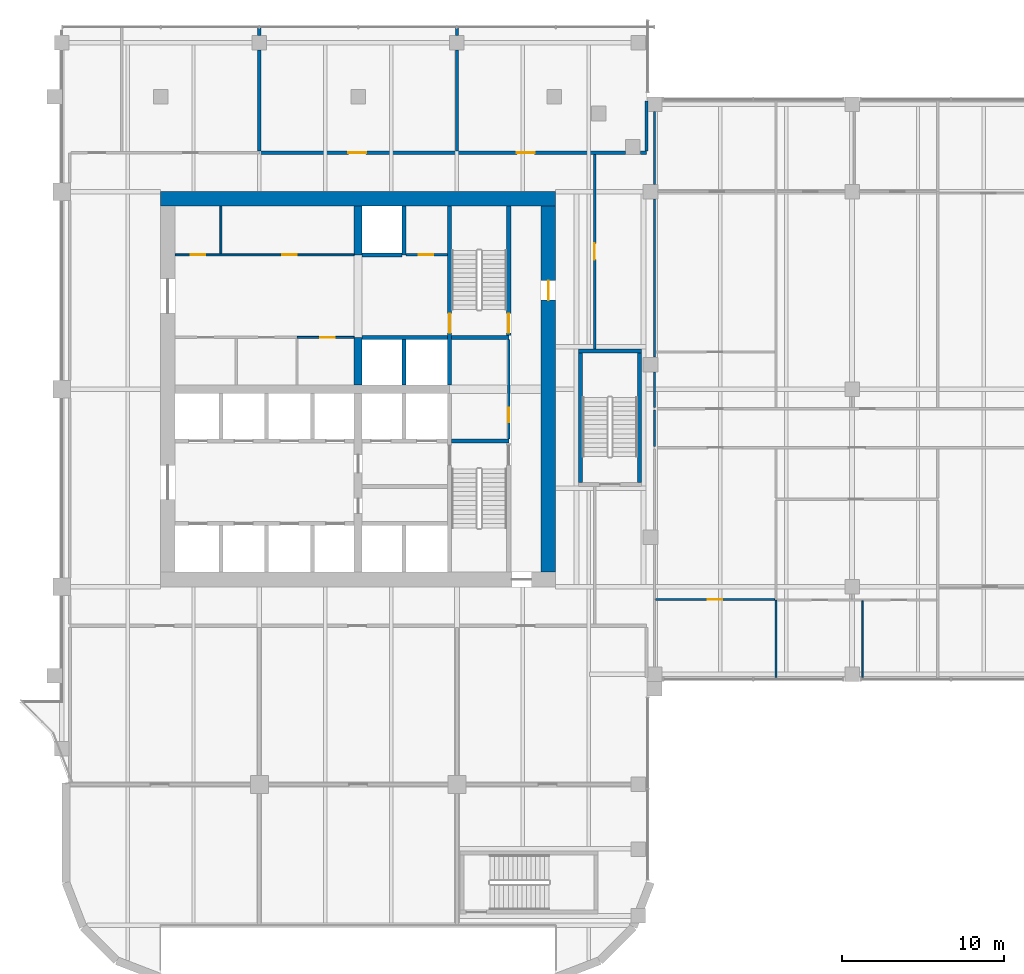
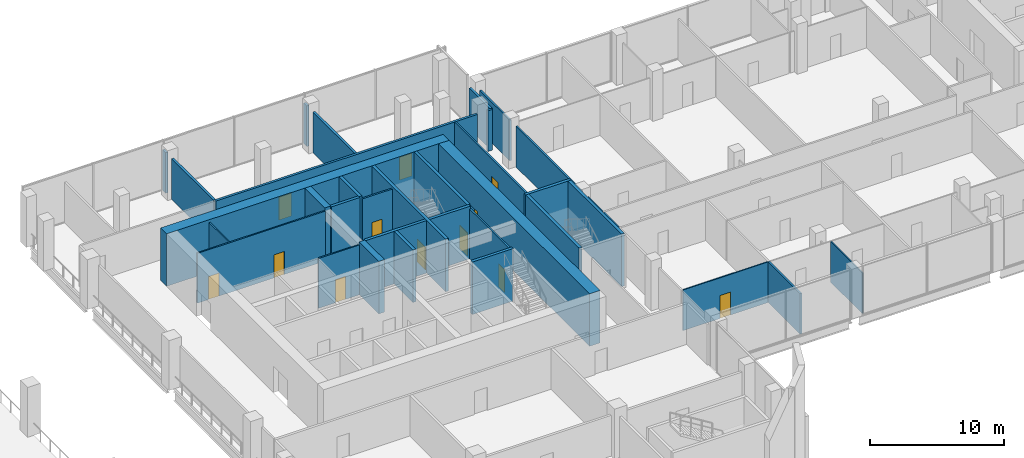
# One storey, part 24 of 33: 35 walls, 12 doors, 12 openings.
"""IFC4 building model written with IfcOpenShell, lengths in metres."""

import ifcopenshell
import ifcopenshell.guid

model = None  # the IFC model being written
_history = None  # IfcOwnerHistory: only IFC2X3 demands one
_inside = {}  # id of a spatial element -> (the spatial element, [elements in it])
_under = {}  # id of a project, library or spatial element -> (it, [spatial elements below it])
_declared = {}  # id of a project -> (the project, [libraries it declares])
_typed = {}  # id of a type object -> (the type object, [elements of that type])
_made_of = {}  # id of a material, layer set ... -> (it, [elements and type objects made of it])


def new_model(schema):
    """Start an empty IFC model of exactly this schema.

    Asked for "IFC4X3", IfcOpenShell would pick the latest addendum, in which some entities
    have other attributes; the version numbers below select the first issue.
    IFC2X3 requires an IfcOwnerHistory on every rooted entity: one is made here for all.
    """
    global model, _history
    if schema == "IFC4X3":
        model = ifcopenshell.file(schema_version=(4, 3, 0, 0))
    else:
        model = ifcopenshell.file(schema=schema)
    _inside.clear()
    _under.clear()
    _declared.clear()
    _typed.clear()
    _made_of.clear()
    _history = None
    if model.schema == "IFC2X3":
        org = make("IfcOrganization", Name="unknown")
        user = make(
            "IfcPersonAndOrganization",
            ThePerson=make("IfcPerson", FamilyName="unknown"),
            TheOrganization=org,
        )
        app = make(
            "IfcApplication",
            ApplicationDeveloper=org,
            Version="unknown",
            ApplicationFullName="unknown",
            ApplicationIdentifier="unknown",
        )
        _history = make(
            "IfcOwnerHistory",
            OwningUser=user,
            OwningApplication=app,
            ChangeAction="ADDED",
            CreationDate=0,
        )
    return model


def make(cls, **values):
    """One entity of the class cls with the attributes given. An attribute that is None is left unset."""
    return model.create_entity(
        cls, **{name: value for name, value in values.items() if value is not None}
    )


def rooted(cls, **values):
    """An entity with a GlobalId (a new one), such as an element, a storey or a relation."""
    return make(cls, GlobalId=ifcopenshell.guid.new(), OwnerHistory=_history, **values)


def si_unit(unit_type, name, prefix=None):
    """IfcSIUnit, for example si_unit("LENGTHUNIT", "METRE", prefix="MILLI")."""
    return make("IfcSIUnit", UnitType=unit_type, Prefix=prefix, Name=name)


def assignment(units):
    """IfcUnitAssignment: the units of a project."""
    return None if units is None else make("IfcUnitAssignment", Units=units)


def point(xyz):
    """IfcCartesianPoint."""
    return None if xyz is None else make("IfcCartesianPoint", Coordinates=xyz)


def direction(xyz):
    """IfcDirection."""
    return None if xyz is None else make("IfcDirection", DirectionRatios=xyz)


def frame(location, z_axis=None, x_axis=None):
    """IfcAxis2Placement3D, a coordinate frame: its origin and axes. An axis left out is left unset."""
    return make(
        "IfcAxis2Placement3D",
        Location=point(location),
        Axis=direction(z_axis),
        RefDirection=direction(x_axis),
    )


def frame_2d(location, x_axis=None):
    """IfcAxis2Placement2D, a coordinate frame in the plane: its origin and x axis."""
    return make(
        "IfcAxis2Placement2D", Location=point(location), RefDirection=direction(x_axis)
    )


def origin():
    """The frame at (0, 0, 0) with its axes left unset."""
    return frame((0.0, 0.0, 0.0))


def place(relative_to, where):
    """IfcLocalPlacement: puts the frame where relative to a parent placement (None: the world)."""
    return make(
        "IfcLocalPlacement", PlacementRelTo=relative_to, RelativePlacement=where
    )


def context(
    kind, dimensions, precision=None, world=None, true_north=None, identifier=None
):
    """IfcGeometricRepresentationContext, for example the 3D "Model" context."""
    return make(
        "IfcGeometricRepresentationContext",
        ContextIdentifier=identifier,
        ContextType=kind,
        CoordinateSpaceDimension=dimensions,
        Precision=precision,
        WorldCoordinateSystem=world,
        TrueNorth=true_north,
    )


def subcontext(parent, identifier, kind, view, scale=None):
    """IfcGeometricRepresentationSubContext, for example "Body" below "Model"."""
    return make(
        "IfcGeometricRepresentationSubContext",
        ContextIdentifier=identifier,
        ContextType=kind,
        ParentContext=parent,
        TargetScale=scale,
        TargetView=view,
    )


def project(units=None, contexts=None):
    """IfcProject with its units and contexts."""
    return rooted(
        "IfcProject",
        Name="project",
        RepresentationContexts=contexts,
        UnitsInContext=assignment(units),
    )


def spatial(cls, under=None, at=None, **own):
    """A site, building, storey or space (cls), placed at a placement, below another one or the project."""
    s = rooted(cls, ObjectPlacement=at, **own)
    if under is not None:
        _under.setdefault(under.id(), (under, []))[1].append(s)
    return s


def profile(cls, at=None, kind="AREA", **sizes):
    """A parametric profile (cls). Its sizes go by their IFC names, for example OverallWidth=200.0."""
    return make(cls, ProfileType=kind, Position=at, **sizes)


def rectangle(**sizes):
    """IfcRectangleProfileDef."""
    return profile("IfcRectangleProfileDef", **sizes)


def extrude(swept, where, along, depth):
    """IfcExtrudedAreaSolid: the profile swept, set in the frame where, extruded along a direction by depth."""
    return make(
        "IfcExtrudedAreaSolid",
        SweptArea=swept,
        Position=where,
        ExtrudedDirection=direction(along),
        Depth=depth,
    )


def shape(context_of_items, identifier, shape_type, items):
    """IfcShapeRepresentation: the items that make up one representation, for example the "Body"."""
    return make(
        "IfcShapeRepresentation",
        ContextOfItems=context_of_items,
        RepresentationIdentifier=identifier,
        RepresentationType=shape_type,
        Items=items,
    )


def source(mapping_origin, context_of_items, identifier, shape_type, items):
    """IfcRepresentationMap: a shape defined once, which mapped items show again and again."""
    return make(
        "IfcRepresentationMap",
        MappingOrigin=mapping_origin,
        MappedRepresentation=shape(context_of_items, identifier, shape_type, items),
    )


def transform(
    local_origin,
    x_axis=None,
    y_axis=None,
    z_axis=None,
    scale=None,
    scale2=None,
    scale3=None,
    uniform=True,
):
    """IfcCartesianTransformationOperator3D, or its non-uniform kind. x_axis, y_axis, z_axis: its Axis1, 2, 3."""
    if uniform:
        return make(
            "IfcCartesianTransformationOperator3D",
            Axis1=direction(x_axis),
            Axis2=direction(y_axis),
            LocalOrigin=point(local_origin),
            Scale=scale,
            Axis3=direction(z_axis),
        )
    return make(
        "IfcCartesianTransformationOperator3DnonUniform",
        Axis1=direction(x_axis),
        Axis2=direction(y_axis),
        LocalOrigin=point(local_origin),
        Scale=scale,
        Axis3=direction(z_axis),
        Scale2=scale2,
        Scale3=scale3,
    )


def mapped(mapping_source, mapping_target):
    """IfcMappedItem: shows the shape of a source again, moved by a transform."""
    return make(
        "IfcMappedItem", MappingSource=mapping_source, MappingTarget=mapping_target
    )


def material(Name=None, Category=None):
    """IfcMaterial."""
    return make("IfcMaterial", Name=Name, Category=Category)


def layer(
    of_material, thickness, ventilated=None, Name=None, Category=None, Priority=None
):
    """IfcMaterialLayer: one layer of a wall or slab, of a material (None: an air gap)."""
    return make(
        "IfcMaterialLayer",
        Material=of_material,
        LayerThickness=thickness,
        IsVentilated=ventilated,
        Name=Name,
        Category=Category,
        Priority=Priority,
    )


def layer_set(layers, Name=None):
    """IfcMaterialLayerSet."""
    return make("IfcMaterialLayerSet", MaterialLayers=layers, LayerSetName=Name)


def made_of(thing, what):
    """Note that an element or type object is made of a material, layer set ...; save() writes the relation."""
    if what is not None:
        _made_of.setdefault(what.id(), (what, []))[1].append(thing)
    return thing


def type_object(cls, material=None, **own):
    """A type object (cls), such as IfcWallType, which elements share."""
    return made_of(rooted(cls, **own), material)


def element(
    cls,
    number,
    at=None,
    inside=None,
    cuts=None,
    type_object=None,
    material=None,
    context=None,
    identifier="Body",
    shape_type=None,
    held_by="IfcProductDefinitionShape",
    body=None,
    shapes=None,
    **own,
):
    """One element of the class cls, such as IfcWall. Its Tag is "e" and its number.

    at: its placement. inside: the storey or other place that contains it. cuts: it is an
    opening in that element (IfcRelVoidsElement). A single representation is given by context,
    identifier, shape_type and body (its items); several are given by shapes. held_by: the class
    of the entity that holds the representations. save() writes the other relations.
    """
    e = rooted(cls, Tag="e%d" % number, ObjectPlacement=at, **own)
    if body is not None:
        shapes = [shape(context, identifier, shape_type, body)]
    if shapes is not None:
        e.Representation = make(held_by, Representations=shapes)
    if inside is not None:
        _inside.setdefault(inside.id(), (inside, []))[1].append(e)
    if cuts is not None:
        rooted(
            "IfcRelVoidsElement", RelatingBuildingElement=cuts, RelatedOpeningElement=e
        )
    if type_object is not None:
        _typed.setdefault(type_object.id(), (type_object, []))[1].append(e)
    return made_of(e, material)


def fill(opening, filler):
    """IfcRelFillsElement: the door or window that sits in an opening."""
    return rooted(
        "IfcRelFillsElement",
        RelatingOpeningElement=opening,
        RelatedBuildingElement=filler,
    )


def aggregate(whole, parts):
    """IfcRelAggregates: a whole, such as a stair, and the parts it consists of."""
    return rooted("IfcRelAggregates", RelatingObject=whole, RelatedObjects=parts)


def save(model, path):
    """Write the relations noted so far, then the file.

    IfcRelAggregates (storeys below a building ...), IfcRelContainedInSpatialStructure (elements
    in a storey), IfcRelDefinesByType, IfcRelAssociatesMaterial and IfcRelDeclares: one each for
    every whole, place, type object, material and project.
    """
    for whole, parts in _under.values():
        aggregate(whole, parts)
    for where, things in _inside.values():
        rooted(
            "IfcRelContainedInSpatialStructure",
            RelatedElements=things,
            RelatingStructure=where,
        )
    for kind, things in _typed.values():
        rooted("IfcRelDefinesByType", RelatedObjects=things, RelatingType=kind)
    for what, things in _made_of.values():
        rooted("IfcRelAssociatesMaterial", RelatedObjects=things, RelatingMaterial=what)
    for by, libraries in _declared.values():
        rooted("IfcRelDeclares", RelatingContext=by, RelatedDefinitions=libraries)
    model.write(path)


model = new_model("IFC4")

# Units and contexts
model_context = context("Model", 3, precision=1e-05, world=origin(), true_north=direction((0.0, 1.0)))
body_context = subcontext(model_context, "Body", "Model", "MODEL_VIEW")
ifc_project = project(units=[si_unit("LENGTHUNIT", "METRE"), si_unit("AREAUNIT", "SQUARE_METRE"), si_unit("VOLUMEUNIT", "CUBIC_METRE"), si_unit("PLANEANGLEUNIT", "RADIAN"), si_unit("MASSUNIT", "GRAM", prefix="KILO")], contexts=[model_context])

# Site, building, storey
site_placement = place(None, origin())
site = spatial("IfcSite", under=ifc_project, at=site_placement, CompositionType="ELEMENT")
building_placement = place(site_placement, origin())
building = spatial("IfcBuilding", under=site, at=building_placement, Name="Tessera Gate Towers", CompositionType="ELEMENT")
storey_placement = place(building_placement, frame((0.0, 0.0, 7.199951171875)))
storey = spatial("IfcBuildingStorey", under=building, at=storey_placement, Name="L01", CompositionType="ELEMENT", Elevation=7.199951171875)

# Wall, opening, door
ifc_material_1 = material(Name="Concrete C40/50", Category="concrete")
ifc_layer_1 = layer(ifc_material_1, 0.25)
ifc_layer_set_1 = layer_set([ifc_layer_1], Name="CORE ENCLOSURE WALL 250")
wall_type_1 = type_object("IfcWallType", Name="CORE ENCLOSURE WALL 250", PredefinedType="SOLIDWALL", material=ifc_layer_set_1)
wall_1_placement = place(storey_placement, frame((48.35009765625, 47.89990234375, 0.0), z_axis=(0.0, 0.0, 1.0), x_axis=(0.0, -1.0, 0.0)))
wall_1 = element("IfcWall", 1, at=wall_1_placement, inside=storey, type_object=wall_type_1, Name="L01 shaft and stair enclosure wall", PredefinedType="SOLIDWALL", context=body_context, shape_type="SweptSolid", body=[
    extrude(rectangle(XDim=11.0498046875, YDim=0.25, at=frame_2d((5.52490234375, 0.0))), origin(), (0.0, 0.0, 1.0), 4.800048828125),
])
shared_shape_1 = source(origin(), body_context, "Body", "SweptSolid", [
    extrude(rectangle(XDim=1.199951171875, YDim=2.10009765625, at=frame_2d((0.60009765625, 1.050048828125))), frame((0.0, 0.135009765625, 0.0), z_axis=(0.0, -1.0, 0.0), x_axis=(1.0, 0.0, 0.0)), (0.0, 0.0, 1.0), 0.27001953125),
])
opening_1_placement = place(wall_1_placement, frame((6.625, 0.0, 0.0)))
opening_1 = element("IfcOpeningElement", 2, at=opening_1_placement, cuts=wall_1, Name="Opening SD-ST2-1", PredefinedType="OPENING", context=body_context, shape_type="MappedRepresentation", body=[
    mapped(shared_shape_1, transform((0.0, 0.0, 0.0), scale=1.0)),
])
ifc_material_2 = material(Name="Hollow steel fire door", Category="steel")
door_type_1 = type_object("IfcDoorType", Name="CORE DOOR SD 1200x2100", OperationType="NOTDEFINED", PredefinedType="DOOR", material=ifc_material_2)
shared_shape_2 = source(origin(), body_context, "Body", "SweptSolid", [
    extrude(rectangle(XDim=1.199951171875, YDim=2.10009765625, at=frame_2d((0.60009765625, 1.050048828125))), frame((0.0, 0.02490234375, 0.0), z_axis=(0.0, -1.0, 0.0), x_axis=(1.0, 0.0, 0.0)), (0.0, 0.0, 1.0), 0.050048828125),
])
door_1_placement = place(opening_1_placement, origin())
door_1 = element("IfcDoor", 3, at=door_1_placement, inside=storey, type_object=door_type_1, Name="Stair door", OperationType="SINGLE_SWING_RIGHT", OverallHeight=2.10009765625, OverallWidth=1.199951171875, PredefinedType="DOOR", context=body_context, shape_type="MappedRepresentation", body=[
    mapped(shared_shape_2, transform((0.0, 0.0, 0.0), scale=1.0)),
])
fill(opening_1, door_1)

# Walls
wall_2_placement = place(storey_placement, frame((48.47509765625, 33.39990234375, 0.0), z_axis=(0.0, 0.0, 1.0), x_axis=(1.0, 0.0, 0.0)))
element("IfcWall", 4, at=wall_2_placement, inside=storey, type_object=wall_type_1, Name="L01 shaft and stair enclosure wall", PredefinedType="SOLIDWALL", context=body_context, shape_type="SweptSolid", body=[
    extrude(rectangle(XDim=3.52490234375, YDim=0.25, at=frame_2d((1.762451171875, 0.0))), origin(), (0.0, 0.0, 1.0), 4.800048828125),
])
wall_3_placement = place(storey_placement, frame((42.949951171875, 39.800048828125, 0.0), z_axis=(0.0, 0.0, 1.0), x_axis=(1.0, 0.0, 0.0)))
element("IfcWall", 5, at=wall_3_placement, inside=storey, type_object=wall_type_1, Name="L01 shaft and stair enclosure wall", PredefinedType="SOLIDWALL", context=body_context, shape_type="SweptSolid", body=[
    extrude(rectangle(XDim=5.275146484375, YDim=0.25, at=frame_2d((2.6376953125, 0.0))), origin(), (0.0, 0.0, 1.0), 4.800048828125),
])
wall_4_placement = place(storey_placement, frame((48.47509765625, 39.800048828125, 0.0), z_axis=(0.0, 0.0, 1.0), x_axis=(1.0, 0.0, 0.0)))
element("IfcWall", 6, at=wall_4_placement, inside=storey, type_object=wall_type_1, Name="L01 shaft and stair enclosure wall", PredefinedType="SOLIDWALL", context=body_context, shape_type="SweptSolid", body=[
    extrude(rectangle(XDim=3.52490234375, YDim=0.25, at=frame_2d((1.762451171875, 0.0))), origin(), (0.0, 0.0, 1.0), 4.800048828125),
])

# Wall, opening, door
wall_5_placement = place(storey_placement, frame((52.0, 39.925048828125, 0.0), z_axis=(0.0, 0.0, 1.0), x_axis=(0.0, 1.0, 0.0)))
wall_5 = element("IfcWall", 7, at=wall_5_placement, inside=storey, type_object=wall_type_1, Name="L01 shaft and stair enclosure wall", PredefinedType="SOLIDWALL", context=body_context, shape_type="SweptSolid", body=[
    extrude(rectangle(XDim=7.974853515625, YDim=0.25, at=frame_2d((3.9873046875, 0.0))), origin(), (0.0, 0.0, 1.0), 4.800048828125),
])
opening_2_placement = place(wall_5_placement, frame((0.14990234375, 0.0, 0.0)))
opening_2 = element("IfcOpeningElement", 8, at=opening_2_placement, cuts=wall_5, Name="Opening SD-ST2-2", PredefinedType="OPENING", context=body_context, shape_type="MappedRepresentation", body=[
    mapped(shared_shape_1, transform((0.0, 0.0, 0.0), scale=1.0)),
])
door_2_placement = place(opening_2_placement, origin())
door_2 = element("IfcDoor", 9, at=door_2_placement, inside=storey, type_object=door_type_1, Name="Stair door", OperationType="SINGLE_SWING_LEFT", OverallHeight=2.10009765625, OverallWidth=1.199951171875, PredefinedType="DOOR", context=body_context, shape_type="MappedRepresentation", body=[
    mapped(shared_shape_2, transform((0.0, 0.0, 0.0), scale=1.0)),
])
fill(opening_2, door_2)

# Walls
wall_6_placement = place(storey_placement, frame((45.52490234375, 36.85009765625, 0.0), z_axis=(0.0, 0.0, 1.0), x_axis=(0.0, 1.0, 0.0)))
element("IfcWall", 10, at=wall_6_placement, inside=storey, type_object=wall_type_1, Name="L01 shaft and stair enclosure wall", PredefinedType="SOLIDWALL", context=body_context, shape_type="SweptSolid", body=[
    extrude(rectangle(XDim=2.824951171875, YDim=0.25, at=frame_2d((1.41259765625, 0.0))), origin(), (0.0, 0.0, 1.0), 4.800048828125),
])
wall_7_placement = place(storey_placement, frame((45.52490234375, 44.89990234375, 0.0), z_axis=(0.0, 0.0, 1.0), x_axis=(0.0, 1.0, 0.0)))
element("IfcWall", 11, at=wall_7_placement, inside=storey, type_object=wall_type_1, Name="L01 shaft and stair enclosure wall", PredefinedType="SOLIDWALL", context=body_context, shape_type="SweptSolid", body=[
    extrude(rectangle(XDim=3.0, YDim=0.25, at=frame_2d((1.5, 0.0))), origin(), (0.0, 0.0, 1.0), 4.800048828125),
])
wall_8_placement = place(storey_placement, frame((42.949951171875, 44.89990234375, 0.0), z_axis=(0.0, 0.0, 1.0), x_axis=(1.0, 0.0, 0.0)))
element("IfcWall", 12, at=wall_8_placement, inside=storey, type_object=wall_type_1, Name="L01 shaft and stair enclosure wall", PredefinedType="SOLIDWALL", context=body_context, shape_type="SweptSolid", body=[
    extrude(rectangle(XDim=2.449951171875, YDim=0.25, at=frame_2d((1.22509765625, 0.0))), origin(), (0.0, 0.0, 1.0), 4.800048828125),
])
wall_9_placement = place(storey_placement, frame((56.425048828125, 30.85009765625, 0.0), z_axis=(0.0, 0.0, 1.0), x_axis=(0.0, 1.0, 0.0)))
element("IfcWall", 13, at=wall_9_placement, inside=storey, type_object=wall_type_1, Name="L01 ST5 enclosure wall", PredefinedType="SOLIDWALL", context=body_context, shape_type="SweptSolid", body=[
    extrude(rectangle(XDim=8.0, YDim=0.25, at=frame_2d((4.0, 0.0))), origin(), (0.0, 0.0, 1.0), 4.800048828125),
])
wall_10_placement = place(storey_placement, frame((56.300048828125, 38.97509765625, 0.0), z_axis=(0.0, 0.0, 1.0), x_axis=(1.0, 0.0, 0.0)))
element("IfcWall", 14, at=wall_10_placement, inside=storey, type_object=wall_type_1, Name="L01 ST5 enclosure wall", PredefinedType="SOLIDWALL", context=body_context, shape_type="SweptSolid", body=[
    extrude(rectangle(XDim=3.89990234375, YDim=0.25, at=frame_2d((1.949951171875, 0.0))), origin(), (0.0, 0.0, 1.0), 4.800048828125),
])
wall_11_placement = place(storey_placement, frame((60.074951171875, 38.85009765625, 0.0), z_axis=(0.0, 0.0, 1.0), x_axis=(0.0, -1.0, 0.0)))
element("IfcWall", 15, at=wall_11_placement, inside=storey, type_object=wall_type_1, Name="L01 ST5 enclosure wall", PredefinedType="SOLIDWALL", context=body_context, shape_type="SweptSolid", body=[
    extrude(rectangle(XDim=8.0, YDim=0.25, at=frame_2d((4.0, 0.0))), origin(), (0.0, 0.0, 1.0), 4.800048828125),
])

# Wall, openings, doors
ifc_material_3 = material(Name="Gypsum board on steel studs", Category="steel")
ifc_layer_2 = layer(ifc_material_3, 0.1201171875)
ifc_layer_set_2 = layer_set([ifc_layer_2], Name="CORE PARTITION 120")
wall_type_2 = type_object("IfcWallType", Name="CORE PARTITION 120", PredefinedType="PARTITIONING", material=ifc_layer_set_2)
wall_12_placement = place(storey_placement, frame((31.39990234375, 44.89990234375, 0.0), z_axis=(0.0, 0.0, 1.0), x_axis=(1.0, 0.0, 0.0)))
wall_12 = element("IfcWall", 16, at=wall_12_placement, inside=storey, type_object=wall_type_2, Name="L01 core partition", PredefinedType="PARTITIONING", context=body_context, shape_type="SweptSolid", body=[
    extrude(rectangle(XDim=11.050048828125, YDim=0.1201171875, at=frame_2d((5.52490234375, 0.0))), origin(), (0.0, 0.0, 1.0), 4.550048828125),
])
shared_shape_3 = source(origin(), body_context, "Body", "SweptSolid", [
    extrude(rectangle(XDim=0.89990234375, YDim=2.10009765625, at=frame_2d((0.449951171875, 1.050048828125))), frame((0.0, 0.070068359375, 0.0), z_axis=(0.0, -1.0, 0.0), x_axis=(1.0, 0.0, 0.0)), (0.0, 0.0, 1.0), 0.14013671875),
])
opening_3_placement = place(wall_12_placement, frame((0.96240234375, 0.0, 0.0)))
opening_3 = element("IfcOpeningElement", 17, at=opening_3_placement, cuts=wall_12, Name="Opening RD-T1-03-07", PredefinedType="OPENING", context=body_context, shape_type="MappedRepresentation", body=[
    mapped(shared_shape_3, transform((0.0, 0.0, 0.0), scale=1.0)),
])
opening_4_placement = place(wall_12_placement, frame((6.612548828125, 0.0, 0.0)))
opening_4 = element("IfcOpeningElement", 18, at=opening_4_placement, cuts=wall_12, Name="Opening RD-T1-03-08", PredefinedType="OPENING", context=body_context, shape_type="MappedRepresentation", body=[
    mapped(shared_shape_3, transform((0.0, 0.0, 0.0), scale=1.0)),
])
ifc_material_4 = material(Name="Hollow steel fire door", Category="steel")
door_type_2 = type_object("IfcDoorType", Name="CORE DOOR RD 900x2100", OperationType="NOTDEFINED", PredefinedType="DOOR", material=ifc_material_4)
shared_shape_4 = source(origin(), body_context, "Body", "SweptSolid", [
    extrude(rectangle(XDim=0.89990234375, YDim=2.10009765625, at=frame_2d((0.449951171875, 1.050048828125))), frame((0.0, 0.02490234375, 0.0), z_axis=(0.0, -1.0, 0.0), x_axis=(1.0, 0.0, 0.0)), (0.0, 0.0, 1.0), 0.050048828125),
])
door_3_placement = place(opening_3_placement, origin())
door_3 = element("IfcDoor", 19, at=door_3_placement, inside=storey, type_object=door_type_2, Name="Core room door", OperationType="SINGLE_SWING_LEFT", OverallHeight=2.10009765625, OverallWidth=0.89990234375, PredefinedType="DOOR", context=body_context, shape_type="MappedRepresentation", body=[
    mapped(shared_shape_4, transform((0.0, 0.0, 0.0), scale=1.0)),
])
fill(opening_3, door_3)
door_4_placement = place(opening_4_placement, origin())
door_4 = element("IfcDoor", 20, at=door_4_placement, inside=storey, type_object=door_type_2, Name="Core room door", OperationType="SINGLE_SWING_RIGHT", OverallHeight=2.10009765625, OverallWidth=0.89990234375, PredefinedType="DOOR", context=body_context, shape_type="MappedRepresentation", body=[
    mapped(shared_shape_4, transform((0.0, 0.0, 0.0), scale=1.0)),
])
fill(opening_4, door_4)

# Wall, opening, door
wall_13_placement = place(storey_placement, frame((42.449951171875, 39.800048828125, 0.0), z_axis=(0.0, 0.0, 1.0), x_axis=(-1.0, 0.0, 0.0)))
wall_13 = element("IfcWall", 21, at=wall_13_placement, inside=storey, type_object=wall_type_2, Name="L01 core partition", PredefinedType="PARTITIONING", context=body_context, shape_type="SweptSolid", body=[
    extrude(rectangle(XDim=3.52490234375, YDim=0.1201171875, at=frame_2d((1.762451171875, 0.0))), origin(), (0.0, 0.0, 1.0), 4.550048828125),
])
opening_5_placement = place(wall_13_placement, frame((1.1875, 0.0, 0.0)))
opening_5 = element("IfcOpeningElement", 22, at=opening_5_placement, cuts=wall_13, Name="Opening RD-T1-03-12", PredefinedType="OPENING", context=body_context, shape_type="MappedRepresentation", body=[
    mapped(shared_shape_3, transform((0.0, 0.0, 0.0), scale=1.0)),
])
door_5_placement = place(opening_5_placement, origin())
door_5 = element("IfcDoor", 23, at=door_5_placement, inside=storey, type_object=door_type_2, Name="Core room door", OperationType="SINGLE_SWING_LEFT", OverallHeight=2.10009765625, OverallWidth=0.89990234375, PredefinedType="DOOR", context=body_context, shape_type="MappedRepresentation", body=[
    mapped(shared_shape_4, transform((0.0, 0.0, 0.0), scale=1.0)),
])
fill(opening_5, door_5)

# Walls
wall_14_placement = place(storey_placement, frame((34.22509765625, 44.9599609375, 0.0), z_axis=(0.0, 0.0, 1.0), x_axis=(0.0, 1.0, 0.0)))
element("IfcWall", 24, at=wall_14_placement, inside=storey, type_object=wall_type_2, Name="L01 core partition", PredefinedType="PARTITIONING", context=body_context, shape_type="SweptSolid", body=[
    extrude(rectangle(XDim=2.93994140625, YDim=0.1201171875, at=frame_2d((1.469970703125, 0.0))), origin(), (0.0, 0.0, 1.0), 4.550048828125),
])
ifc_material_5 = material(Name="Concrete C70/85", Category="concrete")
ifc_layer_3 = layer(ifc_material_5, 0.89990234375)
ifc_layer_set_3 = layer_set([ifc_layer_3], Name="CORE SHEAR WALL 900 C70/85")
wall_type_3 = type_object("IfcWallType", Name="CORE SHEAR WALL 900 C70/85", PredefinedType="SHEAR", material=ifc_layer_set_3)
wall_15_placement = place(storey_placement, frame((30.5, 48.35009765625, 0.0), z_axis=(0.0, 0.0, 1.0), x_axis=(1.0, 0.0, 0.0)))
element("IfcWall", 25, at=wall_15_placement, inside=storey, type_object=wall_type_3, Name="Core wall N L01", PredefinedType="SHEAR", context=body_context, shape_type="SweptSolid", body=[
    extrude(rectangle(XDim=24.39990234375, YDim=0.89990234375, at=frame_2d((12.199951171875, 0.0))), origin(), (0.0, 0.0, 1.0), 4.800048828125),
])

# Wall, opening, door
wall_16_placement = place(storey_placement, frame((54.449951171875, 47.89990234375, 0.0), z_axis=(0.0, 0.0, 1.0), x_axis=(0.0, -1.0, 0.0)))
wall_16 = element("IfcWall", 26, at=wall_16_placement, inside=storey, type_object=wall_type_3, Name="Core wall E L01", PredefinedType="SHEAR", context=body_context, shape_type="SweptSolid", body=[
    extrude(rectangle(XDim=22.599853515625, YDim=0.89990234375, at=frame_2d((11.2998046875, 0.0))), origin(), (0.0, 0.0, 1.0), 4.800048828125),
])
shared_shape_5 = source(origin(), body_context, "Body", "SweptSolid", [
    extrude(rectangle(XDim=1.199951171875, YDim=2.10009765625, at=frame_2d((0.60009765625, 1.050048828125))), frame((0.0, 0.4599609375, 0.0), z_axis=(0.0, -1.0, 0.0), x_axis=(1.0, 0.0, 0.0)), (0.0, 0.0, 1.0), 0.919921875),
])
opening_6_placement = place(wall_16_placement, frame((4.60009765625, 0.0, 0.0)))
opening_6 = element("IfcOpeningElement", 27, at=opening_6_placement, cuts=wall_16, Name="Opening ED-T1-03-04", PredefinedType="OPENING", context=body_context, shape_type="MappedRepresentation", body=[
    mapped(shared_shape_5, transform((0.0, 0.0, 0.0), scale=1.0)),
])
ifc_material_6 = material(Name="Hollow steel fire door", Category="steel")
door_type_3 = type_object("IfcDoorType", Name="CORE DOOR ED 1200x2100", OperationType="NOTDEFINED", PredefinedType="DOOR", material=ifc_material_6)
door_6_placement = place(opening_6_placement, origin())
door_6 = element("IfcDoor", 28, at=door_6_placement, inside=storey, type_object=door_type_3, Name="Core exit door", OperationType="SINGLE_SWING_LEFT", OverallHeight=2.10009765625, OverallWidth=1.199951171875, PredefinedType="DOOR", context=body_context, shape_type="MappedRepresentation", body=[
    mapped(shared_shape_2, transform((0.0, 0.0, 0.0), scale=1.0)),
])
fill(opening_6, door_6)

# Walls
ifc_material_7 = material(Name="Concrete C70/85", Category="concrete")
ifc_layer_4 = layer(ifc_material_7, 0.5)
ifc_layer_set_4 = layer_set([ifc_layer_4], Name="CORE SPINE WALL 500 C70/85")
wall_type_4 = type_object("IfcWallType", Name="CORE SPINE WALL 500 C70/85", PredefinedType="SHEAR", material=ifc_layer_set_4)
wall_17_placement = place(storey_placement, frame((42.699951171875, 36.85009765625, 0.0), z_axis=(0.0, 0.0, 1.0), x_axis=(0.0, 1.0, 0.0)))
element("IfcWall", 29, at=wall_17_placement, inside=storey, type_object=wall_type_4, Name="Core wall spine L01", PredefinedType="SHEAR", context=body_context, shape_type="SweptSolid", body=[
    extrude(rectangle(XDim=2.949951171875, YDim=0.5, at=frame_2d((1.47509765625, 0.0))), origin(), (0.0, 0.0, 1.0), 4.800048828125),
])
wall_18_placement = place(storey_placement, frame((42.699951171875, 44.89990234375, 0.0), z_axis=(0.0, 0.0, 1.0), x_axis=(0.0, 1.0, 0.0)))
element("IfcWall", 30, at=wall_18_placement, inside=storey, type_object=wall_type_4, Name="Core wall spine L01", PredefinedType="SHEAR", context=body_context, shape_type="SweptSolid", body=[
    extrude(rectangle(XDim=3.0, YDim=0.5, at=frame_2d((1.5, 0.0))), origin(), (0.0, 0.0, 1.0), 4.800048828125),
])
ifc_material_8 = material(Name="Gypsum board on steel studs, mineral wool", Category="steel")
ifc_layer_5 = layer(ifc_material_8, 0.14990234375)
ifc_layer_set_5 = layer_set([ifc_layer_5], Name="CORRIDOR WALL 150")
wall_type_5 = type_object("IfcWallType", Name="CORRIDOR WALL 150", PredefinedType="PARTITIONING", material=ifc_layer_set_5)
wall_19_placement = place(storey_placement, frame((61.0, 33.075927734375, 0.0), z_axis=(0.0, 0.0, 1.0), x_axis=(0.0, 1.0, 0.0)))
element("IfcWall", 31, at=wall_19_placement, inside=storey, type_object=wall_type_5, Name="PODIUM-L01-PW-064", PredefinedType="PARTITIONING", context=body_context, shape_type="SweptSolid", body=[
    extrude(rectangle(XDim=2.248046875, YDim=0.14990234375, at=frame_2d((1.1240234375, 0.0))), origin(), (0.0, 0.0, 1.0), 3.715087890625),
])

# Wall, opening, door
wall_20_placement = place(storey_placement, frame((57.300048828125, 51.09912109375, 0.0), z_axis=(0.0, 0.0, 1.0), x_axis=(0.0, -1.0, 0.0)))
wall_20 = element("IfcWall", 32, at=wall_20_placement, inside=storey, type_object=wall_type_5, Name="PODIUM-L01-PW-084", PredefinedType="PARTITIONING", context=body_context, shape_type="SweptSolid", body=[
    extrude(rectangle(XDim=11.9990234375, YDim=0.14990234375, at=frame_2d((5.99951171875, 0.0))), origin(), (0.0, 0.0, 1.0), 3.715087890625),
])
shared_shape_6 = source(origin(), body_context, "Body", "SweptSolid", [
    extrude(rectangle(XDim=1.0, YDim=2.10009765625, at=frame_2d((0.5, 1.050048828125))), frame((0.0, 0.0849609375, 0.0), z_axis=(0.0, -1.0, 0.0), x_axis=(1.0, 0.0, 0.0)), (0.0, 0.0, 1.0), 0.169921875),
])
opening_7_placement = place(wall_20_placement, frame((5.4990234375, 0.0, 0.0)))
opening_7 = element("IfcOpeningElement", 33, at=opening_7_placement, cuts=wall_20, Name="Opening D2100FD60-P02-10", PredefinedType="OPENING", context=body_context, shape_type="MappedRepresentation", body=[
    mapped(shared_shape_6, transform((0.0, 0.0, 0.0), scale=1.0)),
])
ifc_material_9 = material(Name="Timber door leaf in steel frame", Category="steel")
door_type_4 = type_object("IfcDoorType", Name="TENANCY ENTRANCE DOOR 1000 FD60", OperationType="NOTDEFINED", PredefinedType="DOOR", material=ifc_material_9)
shared_shape_7 = source(origin(), body_context, "Body", "SweptSolid", [
    extrude(rectangle(XDim=1.0, YDim=2.10009765625, at=frame_2d((0.5, 1.050048828125))), frame((0.0, 0.02490234375, 0.0), z_axis=(0.0, -1.0, 0.0), x_axis=(1.0, 0.0, 0.0)), (0.0, 0.0, 1.0), 0.050048828125),
])
door_7_placement = place(opening_7_placement, origin())
door_7 = element("IfcDoor", 34, at=door_7_placement, inside=storey, type_object=door_type_4, Name="PODIUM-L01-PD-058", OperationType="SINGLE_SWING_RIGHT", OverallHeight=2.10009765625, OverallWidth=1.0, PredefinedType="DOOR", context=body_context, shape_type="MappedRepresentation", body=[
    mapped(shared_shape_7, transform((0.0, 0.0, 0.0), scale=1.0)),
])
fill(opening_7, door_7)

ifc_material_10 = material(Name="Glass", Category="glass")
ifc_layer_6 = layer(ifc_material_10, 0.10009765625)
ifc_layer_set_6 = layer_set([ifc_layer_6], Name="GLAZED PARTITION 100")
wall_type_6 = type_object("IfcWallType", Name="GLAZED PARTITION 100", PredefinedType="PARTITIONING", material=ifc_layer_set_6)
wall_21_placement = place(storey_placement, frame((68.424072265625, 23.6201171875, 0.0), z_axis=(0.0, 0.0, 1.0), x_axis=(-1.0, 0.0, 0.0)))
wall_21 = element("IfcWall", 35, at=wall_21_placement, inside=storey, type_object=wall_type_6, Name="PODIUM-L01-PW-033", PredefinedType="PARTITIONING", context=body_context, shape_type="SweptSolid", body=[
    extrude(rectangle(XDim=7.34814453125, YDim=0.10009765625, at=frame_2d((3.674072265625, 0.0))), origin(), (0.0, 0.0, 1.0), 3.715087890625),
])
shared_shape_8 = source(origin(), body_context, "Body", "SweptSolid", [
    extrude(rectangle(XDim=0.89990234375, YDim=2.10009765625, at=frame_2d((0.449951171875, 1.050048828125))), frame((0.0, 0.06005859375, 0.0), z_axis=(0.0, -1.0, 0.0), x_axis=(1.0, 0.0, 0.0)), (0.0, 0.0, 1.0), 0.1201171875),
])
opening_8_placement = place(wall_21_placement, frame((3.248046875, 0.0, 0.0)))
opening_8 = element("IfcOpeningElement", 36, at=opening_8_placement, cuts=wall_21, Name="Opening D690-P02-09", PredefinedType="OPENING", context=body_context, shape_type="MappedRepresentation", body=[
    mapped(shared_shape_8, transform((0.0, 0.0, 0.0), scale=1.0)),
])
ifc_material_11 = material(Name="Glass in aluminium frame", Category="aluminium")
door_type_5 = type_object("IfcDoorType", Name="GLAZED DOOR 900 NOT RATED", OperationType="NOTDEFINED", PredefinedType="DOOR", material=ifc_material_11)
door_8_placement = place(opening_8_placement, origin())
door_8 = element("IfcDoor", 37, at=door_8_placement, inside=storey, type_object=door_type_5, Name="PODIUM-L01-PD-026", OperationType="SINGLE_SWING_RIGHT", OverallHeight=2.10009765625, OverallWidth=0.89990234375, PredefinedType="DOOR", context=body_context, shape_type="MappedRepresentation", body=[
    mapped(shared_shape_4, transform((0.0, 0.0, 0.0), scale=1.0)),
])
fill(opening_8, door_8)

# Wall
ifc_material_12 = material(Name="Gypsum board on steel studs", Category="steel")
ifc_layer_7 = layer(ifc_material_12, 0.10009765625)
ifc_layer_set_7 = layer_set([ifc_layer_7], Name="PARTITION 100")
wall_type_7 = type_object("IfcWallType", Name="PARTITION 100", PredefinedType="PARTITIONING", material=ifc_layer_set_7)
wall_22_placement = place(storey_placement, frame((73.85009765625, 18.800048828125, 0.0), z_axis=(0.0, 0.0, 1.0), x_axis=(0.0, 1.0, 0.0)))
element("IfcWall", 38, at=wall_22_placement, inside=storey, type_object=wall_type_7, Name="PODIUM-L01-PW-011", PredefinedType="PARTITIONING", context=body_context, shape_type="SweptSolid", body=[
    extrude(rectangle(XDim=4.73486328125, YDim=0.10009765625, at=frame_2d((2.367431640625, 0.0))), origin(), (0.0, 0.0, 1.0), 3.715087890625),
])

# Wall, openings, doors
ifc_material_13 = material(Name="Concrete masonry unit", Category="masonry")
ifc_layer_8 = layer(ifc_material_13, 0.199951171875)
ifc_layer_set_8 = layer_set([ifc_layer_8], Name="PLANT WALL 200")
wall_type_8 = type_object("IfcWallType", Name="PLANT WALL 200", PredefinedType="PARTITIONING", material=ifc_layer_set_8)
wall_23_placement = place(storey_placement, frame((36.60009765625, 51.199951171875, 0.0), z_axis=(0.0, 0.0, 1.0), x_axis=(1.0, 0.0, 0.0)))
wall_23 = element("IfcWall", 39, at=wall_23_placement, inside=storey, type_object=wall_type_8, Name="PODIUM-L01-PW-111", PredefinedType="PARTITIONING", context=body_context, shape_type="SweptSolid", body=[
    extrude(rectangle(XDim=22.617919921875, YDim=0.199951171875, at=frame_2d((11.30908203125, 0.0))), origin(), (0.0, 0.0, 1.0), 3.715087890625),
])
shared_shape_9 = source(origin(), body_context, "Body", "SweptSolid", [
    extrude(rectangle(XDim=1.10009765625, YDim=2.10009765625, at=frame_2d((0.550048828125, 1.050048828125))), frame((0.0, 0.10986328125, 0.0), z_axis=(0.0, -1.0, 0.0), x_axis=(1.0, 0.0, 0.0)), (0.0, 0.0, 1.0), 0.219970703125),
])
opening_9_placement = place(wall_23_placement, frame((15.90087890625, 0.0, 0.0)))
opening_9 = element("IfcOpeningElement", 40, at=opening_9_placement, cuts=wall_23, Name="Opening D5110FD90-P02-02", PredefinedType="OPENING", context=body_context, shape_type="MappedRepresentation", body=[
    mapped(shared_shape_9, transform((0.0, 0.0, 0.0), scale=1.0)),
])
opening_10_placement = place(wall_23_placement, frame((5.5, 0.0, 0.0)))
opening_10 = element("IfcOpeningElement", 41, at=opening_10_placement, cuts=wall_23, Name="Opening D5110FD90-P02-08", PredefinedType="OPENING", context=body_context, shape_type="MappedRepresentation", body=[
    mapped(shared_shape_9, transform((0.0, 0.0, 0.0), scale=1.0)),
])
ifc_material_14 = material(Name="Timber door leaf in steel frame", Category="steel")
door_type_6 = type_object("IfcDoorType", Name="PLANT DOOR 1100 FD90", OperationType="NOTDEFINED", PredefinedType="DOOR", material=ifc_material_14)
shared_shape_10 = source(origin(), body_context, "Body", "SweptSolid", [
    extrude(rectangle(XDim=1.10009765625, YDim=2.10009765625, at=frame_2d((0.550048828125, 1.050048828125))), frame((0.0, 0.02490234375, 0.0), z_axis=(0.0, -1.0, 0.0), x_axis=(1.0, 0.0, 0.0)), (0.0, 0.0, 1.0), 0.050048828125),
])
door_9_placement = place(opening_9_placement, origin())
door_9 = element("IfcDoor", 42, at=door_9_placement, inside=storey, type_object=door_type_6, Name="PODIUM-L01-PD-036", OperationType="SINGLE_SWING_LEFT", OverallHeight=2.10009765625, OverallWidth=1.10009765625, PredefinedType="DOOR", context=body_context, shape_type="MappedRepresentation", body=[
    mapped(shared_shape_10, transform((0.0, 0.0, 0.0), scale=1.0)),
])
fill(opening_9, door_9)
door_10_placement = place(opening_10_placement, origin())
door_10 = element("IfcDoor", 43, at=door_10_placement, inside=storey, type_object=door_type_6, Name="PODIUM-L01-PD-053", OperationType="SINGLE_SWING_LEFT", OverallHeight=2.10009765625, OverallWidth=1.10009765625, PredefinedType="DOOR", context=body_context, shape_type="MappedRepresentation", body=[
    mapped(shared_shape_10, transform((0.0, 0.0, 0.0), scale=1.0)),
])
fill(opening_10, door_10)

# Walls
wall_24_placement = place(storey_placement, frame((60.1201171875, 51.199951171875, 0.0), z_axis=(0.0, 0.0, 1.0), x_axis=(1.0, 0.0, 0.0)))
element("IfcWall", 44, at=wall_24_placement, inside=storey, type_object=wall_type_8, Name="PODIUM-L01-PW-112", PredefinedType="PARTITIONING", context=body_context, shape_type="SweptSolid", body=[
    extrude(rectangle(XDim=0.3798828125, YDim=0.199951171875, at=frame_2d((0.18994140625, 0.0))), origin(), (0.0, 0.0, 1.0), 3.715087890625),
])
for number, where, z_axis, x_axis, name in (
    (45, (36.60009765625, 51.301025390625, 0.0), (0.0, 0.0, 1.0), (0.0, 1.0, 0.0), "PODIUM-L01-PW-121"),
    (46, (48.800048828125, 51.301025390625, 0.0), (0.0, 0.0, 1.0), (0.0, 1.0, 0.0), "PODIUM-L01-PW-122"),
):
    element("IfcWall", number, at=place(storey_placement, frame(where, z_axis=z_axis, x_axis=x_axis)), inside=storey, type_object=wall_type_8, Name=name, PredefinedType="PARTITIONING", context=body_context, shape_type="SweptSolid", body=[
        extrude(rectangle(XDim=6.248046875, YDim=0.199951171875, at=frame_2d((3.1240234375, 0.0))), origin(), (0.0, 0.0, 1.0), 3.715087890625),
    ])
wall_25_placement = place(storey_placement, frame((60.5, 51.301025390625, 0.0), z_axis=(0.0, 0.0, 1.0), x_axis=(0.0, 1.0, 0.0)))
element("IfcWall", 47, at=wall_25_placement, inside=storey, type_object=wall_type_8, Name="PODIUM-L01-PW-123", PredefinedType="PARTITIONING", context=body_context, shape_type="SweptSolid", body=[
    extrude(rectangle(XDim=3.098876953125, YDim=0.199951171875, at=frame_2d((1.54931640625, 0.0))), origin(), (0.0, 0.0, 1.0), 3.715087890625),
])
for number, where, z_axis, x_axis, name in (
    (48, (36.60009765625, 58.450927734375, 0.0), (0.0, 0.0, 1.0), (0.0, 1.0, 0.0), "PODIUM-L01-PW-133"),
    (49, (48.800048828125, 58.450927734375, 0.0), (0.0, 0.0, 1.0), (0.0, 1.0, 0.0), "PODIUM-L01-PW-134"),
):
    element("IfcWall", number, at=place(storey_placement, frame(where, z_axis=z_axis, x_axis=x_axis)), inside=storey, type_object=wall_type_8, Name=name, PredefinedType="PARTITIONING", context=body_context, shape_type="SweptSolid", body=[
        extrude(rectangle(XDim=0.448974609375, YDim=0.199951171875, at=frame_2d((0.224609375, 0.0))), origin(), (0.0, 0.0, 1.0), 3.715087890625),
    ])

# Wall, opening, door
ifc_material_15 = material(Name="Gypsum board on steel studs", Category="steel")
ifc_layer_9 = layer(ifc_material_15, 0.14990234375)
ifc_layer_set_9 = layer_set([ifc_layer_9], Name="SERVICE ROOM WALL 150")
wall_type_9 = type_object("IfcWallType", Name="SERVICE ROOM WALL 150", PredefinedType="PARTITIONING", material=ifc_layer_set_9)
wall_26_placement = place(storey_placement, frame((52.0, 33.52490234375, 0.0), z_axis=(0.0, 0.0, 1.0), x_axis=(0.0, 1.0, 0.0)))
wall_26 = element("IfcWall", 50, at=wall_26_placement, inside=storey, type_object=wall_type_9, Name="L01 service room wall", PredefinedType="PARTITIONING", context=body_context, shape_type="SweptSolid", body=[
    extrude(rectangle(XDim=6.150146484375, YDim=0.14990234375, at=frame_2d((3.0751953125, 0.0))), origin(), (0.0, 0.0, 1.0), 4.550048828125),
])
shared_shape_11 = source(origin(), body_context, "Body", "SweptSolid", [
    extrude(rectangle(XDim=0.89990234375, YDim=2.10009765625, at=frame_2d((0.449951171875, 1.050048828125))), frame((0.0, 0.0849609375, 0.0), z_axis=(0.0, -1.0, 0.0), x_axis=(1.0, 0.0, 0.0)), (0.0, 0.0, 1.0), 0.169921875),
])
opening_11_placement = place(wall_26_placement, frame((1.02490234375, 0.0, 0.0)))
opening_11 = element("IfcOpeningElement", 51, at=opening_11_placement, cuts=wall_26, Name="Opening RD-T1-03-11", PredefinedType="OPENING", context=body_context, shape_type="MappedRepresentation", body=[
    mapped(shared_shape_11, transform((0.0, 0.0, 0.0), scale=1.0)),
])
door_11_placement = place(opening_11_placement, origin())
door_11 = element("IfcDoor", 52, at=door_11_placement, inside=storey, type_object=door_type_2, Name="Core room door", OperationType="SINGLE_SWING_LEFT", OverallHeight=2.10009765625, OverallWidth=0.89990234375, PredefinedType="DOOR", context=body_context, shape_type="MappedRepresentation", body=[
    mapped(shared_shape_4, transform((0.0, 0.0, 0.0), scale=1.0)),
])
fill(opening_11, door_11)

wall_27_placement = place(storey_placement, frame((45.64990234375, 44.89990234375, 0.0), z_axis=(0.0, 0.0, 1.0), x_axis=(1.0, 0.0, 0.0)))
wall_27 = element("IfcWall", 53, at=wall_27_placement, inside=storey, type_object=wall_type_9, Name="L01 service room wall", PredefinedType="PARTITIONING", context=body_context, shape_type="SweptSolid", body=[
    extrude(rectangle(XDim=2.5751953125, YDim=0.14990234375, at=frame_2d((1.28759765625, 0.0))), origin(), (0.0, 0.0, 1.0), 4.550048828125),
])
opening_12_placement = place(wall_27_placement, frame((0.800048828125, 0.0, 0.0)))
opening_12 = element("IfcOpeningElement", 54, at=opening_12_placement, cuts=wall_27, Name="Opening RD-T1-03-13", PredefinedType="OPENING", context=body_context, shape_type="MappedRepresentation", body=[
    mapped(shared_shape_11, transform((0.0, 0.0, 0.0), scale=1.0)),
])
door_12_placement = place(opening_12_placement, origin())
door_12 = element("IfcDoor", 55, at=door_12_placement, inside=storey, type_object=door_type_2, Name="Core room door", OperationType="SINGLE_SWING_LEFT", OverallHeight=2.10009765625, OverallWidth=0.89990234375, PredefinedType="DOOR", context=body_context, shape_type="MappedRepresentation", body=[
    mapped(shared_shape_4, transform((0.0, 0.0, 0.0), scale=1.0)),
])
fill(opening_12, door_12)

# Walls
ifc_material_16 = material(Name="Gypsum board on steel studs, mineral wool", Category="steel")
ifc_layer_10 = layer(ifc_material_16, 0.14990234375)
ifc_layer_set_10 = layer_set([ifc_layer_10], Name="TENANCY WALL 150")
wall_type_10 = type_object("IfcWallType", Name="TENANCY WALL 150", PredefinedType="PARTITIONING", material=ifc_layer_set_10)
wall_28_placement = place(storey_placement, frame((68.5, 18.800048828125, 0.0), z_axis=(0.0, 0.0, 1.0), x_axis=(0.0, 1.0, 0.0)))
element("IfcWall", 56, at=wall_28_placement, inside=storey, type_object=wall_type_10, Name="PODIUM-L01-PW-010", PredefinedType="PARTITIONING", context=body_context, shape_type="SweptSolid", body=[
    extrude(rectangle(XDim=4.785888671875, YDim=0.14990234375, at=frame_2d((2.39306640625, 0.0))), origin(), (0.0, 0.0, 1.0), 3.715087890625),
])
wall_29_placement = place(storey_placement, frame((61.0, 35.47607421875, 0.0), z_axis=(0.0, 0.0, 1.0), x_axis=(0.0, 1.0, 0.0)))
element("IfcWall", 57, at=wall_29_placement, inside=storey, type_object=wall_type_10, Name="PODIUM-L01-PW-068", PredefinedType="PARTITIONING", context=body_context, shape_type="SweptSolid", body=[
    extrude(rectangle(XDim=2.197998046875, YDim=0.14990234375, at=frame_2d((1.09912109375, 0.0))), origin(), (0.0, 0.0, 1.0), 3.715087890625),
])
wall_30_placement = place(storey_placement, frame((61.0, 38.575927734375, 0.0), z_axis=(0.0, 0.0, 1.0), x_axis=(0.0, 1.0, 0.0)))
element("IfcWall", 58, at=wall_30_placement, inside=storey, type_object=wall_type_10, Name="PODIUM-L01-PW-082", PredefinedType="PARTITIONING", context=body_context, shape_type="SweptSolid", body=[
    extrude(rectangle(XDim=9.773193359375, YDim=0.14990234375, at=frame_2d((4.88671875, 0.0))), origin(), (0.0, 0.0, 1.0), 3.715087890625),
])
wall_31_placement = place(storey_placement, frame((61.0, 49.2509765625, 0.0), z_axis=(0.0, 0.0, 1.0), x_axis=(0.0, 1.0, 0.0)))
element("IfcWall", 59, at=wall_31_placement, inside=storey, type_object=wall_type_10, Name="PODIUM-L01-PW-106", PredefinedType="PARTITIONING", context=body_context, shape_type="SweptSolid", body=[
    extrude(rectangle(XDim=4.498046875, YDim=0.14990234375, at=frame_2d((2.2490234375, 0.0))), origin(), (0.0, 0.0, 1.0), 3.715087890625),
])

save(model, "model.ifc")
